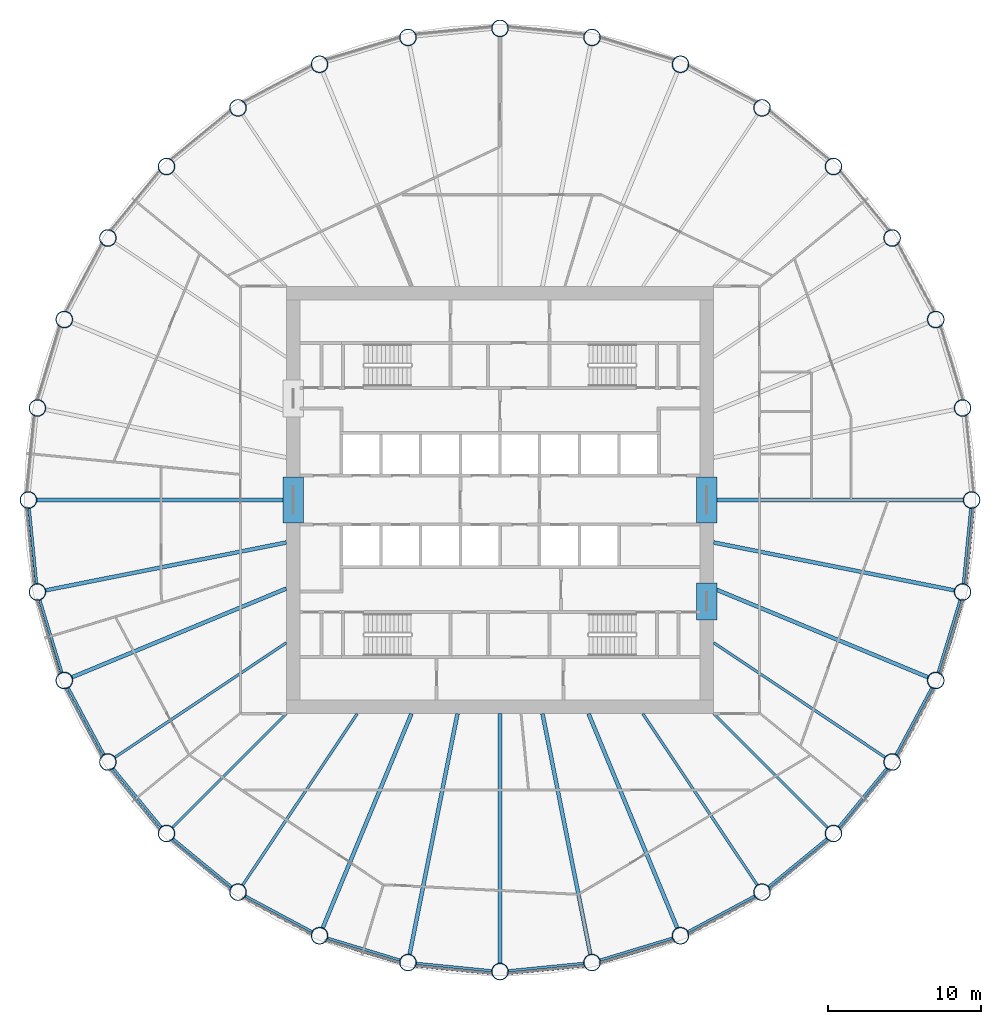
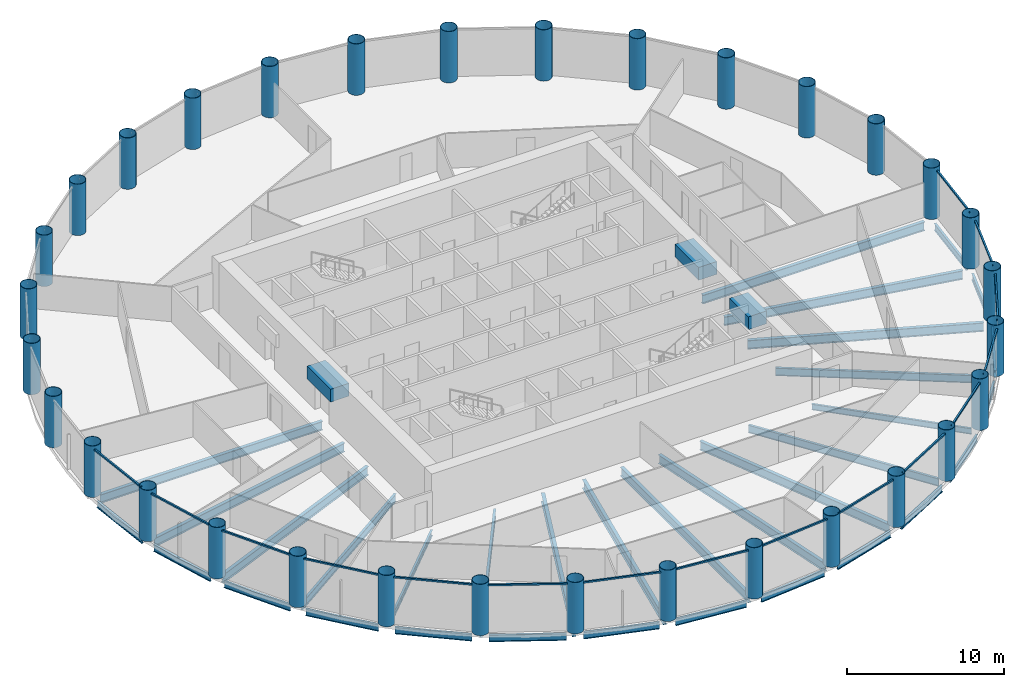
# One storey, part 1 of 9: 36 beams, 32 columns, 16 members, 16 elements without a shape of their own.
"""IFC4 building model written with IfcOpenShell, lengths in metres."""

from ifc_helpers import new_model, si_unit, direction, frame, origin, origin_2d, place, context, subcontext, project, spatial, rectangle, hollow_circle, i_section, extrude, material, material_profile, profile_set, type_object, element, aggregate, save


model = new_model("IFC4")

# Units and contexts
model_context = context("Model", 3, precision=1e-05, world=origin(), true_north=direction((0.0, 1.0)))
body_context = subcontext(model_context, "Body", "Model", "MODEL_VIEW")
ifc_project = project(units=[si_unit("LENGTHUNIT", "METRE"), si_unit("AREAUNIT", "SQUARE_METRE"), si_unit("VOLUMEUNIT", "CUBIC_METRE"), si_unit("PLANEANGLEUNIT", "RADIAN"), si_unit("MASSUNIT", "GRAM", prefix="KILO")], contexts=[model_context])

# Site, building, storey
site_placement = place(None, origin())
site = spatial("IfcSite", under=ifc_project, at=site_placement, CompositionType="ELEMENT")
building_placement = place(site_placement, origin())
building = spatial("IfcBuilding", under=site, at=building_placement, Name="Corvane Civic Tower", CompositionType="ELEMENT")
storey_placement = place(building_placement, frame((0.0, 0.0, 148.0)))
storey = spatial("IfcBuildingStorey", under=building, at=storey_placement, Name="L34", CompositionType="ELEMENT", Elevation=148.0)

# Columns
ifc_material_1 = material(Name="Steel ASTM A572 Gr 50", Category="steel")
ifc_material_profile_1 = material_profile(ifc_material_1, hollow_circle(Radius=0.550048828125, WallThickness=0.031982421875, at=origin_2d()), Name="CHS1100X32")
ifc_profile_set_1 = profile_set([ifc_material_profile_1], Name="Steel ASTM A572 Gr 50")
column_type = type_object("IfcColumnType", Name="COMPOSITE COLUMN CHS1100X32", PredefinedType="COLUMN", material=ifc_profile_set_1)
for number, where, z_axis, x_axis, name in (
    (1, (0.0, 30.89990234375, 0.0), (0.0, 0.0, 1.0), (1.0, 0.0, 0.0), "COL-L34-C01"),
    (2, (6.0283203125, 30.30615234375, 0.0), (0.0, 0.0, 1.0), (1.0, 0.0, 0.0), "COL-L34-C02"),
    (3, (11.824951171875, 28.5478515625, 0.0), (0.0, 0.0, 1.0), (1.0, 0.0, 0.0), "COL-L34-C03"),
    (4, (17.167236328125, 25.6923828125, 0.0), (0.0, 0.0, 1.0), (1.0, 0.0, 0.0), "COL-L34-C04"),
    (5, (21.849609375, 21.849609375, 0.0), (0.0, 0.0, 1.0), (1.0, 0.0, 0.0), "COL-L34-C05"),
    (6, (25.6923828125, 17.167236328125, 0.0), (0.0, 0.0, 1.0), (1.0, 0.0, 0.0), "COL-L34-C06"),
    (7, (28.5478515625, 11.824951171875, 0.0), (0.0, 0.0, 1.0), (1.0, 0.0, 0.0), "COL-L34-C07"),
    (8, (30.30615234375, 6.0283203125, 0.0), (0.0, 0.0, 1.0), (1.0, 0.0, 0.0), "COL-L34-C08"),
    (9, (30.89990234375, 0.0, 0.0), (0.0, 0.0, 1.0), (1.0, 0.0, 0.0), "COL-L34-C09"),
    (10, (30.30615234375, -6.0283203125, 0.0), (0.0, 0.0, 1.0), (1.0, 0.0, 0.0), "COL-L34-C10"),
    (11, (28.5478515625, -11.824951171875, 0.0), (0.0, 0.0, 1.0), (1.0, 0.0, 0.0), "COL-L34-C11"),
    (12, (25.6923828125, -17.167236328125, 0.0), (0.0, 0.0, 1.0), (1.0, 0.0, 0.0), "COL-L34-C12"),
    (13, (21.849609375, -21.849609375, 0.0), (0.0, 0.0, 1.0), (1.0, 0.0, 0.0), "COL-L34-C13"),
    (14, (17.167236328125, -25.6923828125, 0.0), (0.0, 0.0, 1.0), (1.0, 0.0, 0.0), "COL-L34-C14"),
    (15, (11.824951171875, -28.5478515625, 0.0), (0.0, 0.0, 1.0), (1.0, 0.0, 0.0), "COL-L34-C15"),
    (16, (6.0283203125, -30.30615234375, 0.0), (0.0, 0.0, 1.0), (1.0, 0.0, 0.0), "COL-L34-C16"),
    (17, (0.0, -30.89990234375, 0.0), (0.0, 0.0, 1.0), (1.0, 0.0, 0.0), "COL-L34-C17"),
    (18, (-6.0283203125, -30.30615234375, 0.0), (0.0, 0.0, 1.0), (1.0, 0.0, 0.0), "COL-L34-C18"),
    (19, (-11.824951171875, -28.5478515625, 0.0), (0.0, 0.0, 1.0), (1.0, 0.0, 0.0), "COL-L34-C19"),
    (20, (-17.167236328125, -25.6923828125, 0.0), (0.0, 0.0, 1.0), (1.0, 0.0, 0.0), "COL-L34-C20"),
    (21, (-21.849609375, -21.849609375, 0.0), (0.0, 0.0, 1.0), (1.0, 0.0, 0.0), "COL-L34-C21"),
    (22, (-25.6923828125, -17.167236328125, 0.0), (0.0, 0.0, 1.0), (1.0, 0.0, 0.0), "COL-L34-C22"),
    (23, (-28.5478515625, -11.824951171875, 0.0), (0.0, 0.0, 1.0), (1.0, 0.0, 0.0), "COL-L34-C23"),
    (24, (-30.30615234375, -6.0283203125, 0.0), (0.0, 0.0, 1.0), (1.0, 0.0, 0.0), "COL-L34-C24"),
    (25, (-30.89990234375, 0.0, 0.0), (0.0, 0.0, 1.0), (1.0, 0.0, 0.0), "COL-L34-C25"),
    (26, (-30.30615234375, 6.0283203125, 0.0), (0.0, 0.0, 1.0), (1.0, 0.0, 0.0), "COL-L34-C26"),
    (27, (-28.5478515625, 11.824951171875, 0.0), (0.0, 0.0, 1.0), (1.0, 0.0, 0.0), "COL-L34-C27"),
    (28, (-25.6923828125, 17.167236328125, 0.0), (0.0, 0.0, 1.0), (1.0, 0.0, 0.0), "COL-L34-C28"),
    (29, (-21.849609375, 21.849609375, 0.0), (0.0, 0.0, 1.0), (1.0, 0.0, 0.0), "COL-L34-C29"),
    (30, (-17.167236328125, 25.6923828125, 0.0), (0.0, 0.0, 1.0), (1.0, 0.0, 0.0), "COL-L34-C30"),
    (31, (-11.824951171875, 28.5478515625, 0.0), (0.0, 0.0, 1.0), (1.0, 0.0, 0.0), "COL-L34-C31"),
    (32, (-6.0283203125, 30.30615234375, 0.0), (0.0, 0.0, 1.0), (1.0, 0.0, 0.0), "COL-L34-C32"),
):
    element("IfcColumn", number, at=place(storey_placement, frame(where, z_axis=z_axis, x_axis=x_axis)), inside=storey, type_object=column_type, Name=name, PredefinedType="COLUMN", context=body_context, shape_type="SweptSolid", body=[
        extrude(hollow_circle(Radius=0.550048828125, WallThickness=0.031982421875, at=origin_2d()), origin(), (0.0, 0.0, 1.0), 4.0),
    ])

# Beams
ifc_material_2 = material(Name="Concrete C60/75", Category="concrete")
ifc_material_profile_2 = material_profile(ifc_material_2, rectangle(XDim=1.35009765625, YDim=1.0, at=origin_2d()), Name="COUPLING BEAM 1350X1000")
ifc_profile_set_2 = profile_set([ifc_material_profile_2], Name="Concrete C60/75")
beam_type_1 = type_object("IfcBeamType", Name="COUPLING BEAM COUPLING BEAM 1350X1000", PredefinedType="BEAM", material=ifc_profile_set_2)
for number, where, z_axis, x_axis, name in (
    (33, (-13.550048828125, -1.5, 2.60009765625), (0.0, 1.0, 0.0), (-1.0, 0.0, 0.0), "BM-L34-cpl-CW-LW"),
    (34, (13.550048828125, -1.5, 2.60009765625), (0.0, 1.0, 0.0), (-1.0, 0.0, 0.0), "BM-L34-cpl-CW-LE"),
):
    element("IfcBeam", number, at=place(storey_placement, frame(where, z_axis=z_axis, x_axis=x_axis)), inside=storey, type_object=beam_type_1, Name=name, PredefinedType="BEAM", context=body_context, shape_type="SweptSolid", body=[
        extrude(rectangle(XDim=1.35009765625, YDim=1.0, at=origin_2d()), origin(), (0.0, 0.0, 1.0), 3.0),
    ])
beam_1_placement = place(storey_placement, frame((13.550048828125, -7.85009765625, 2.60009765625), z_axis=(0.0, 1.0, 0.0), x_axis=(-1.0, 0.0, 0.0)))
element("IfcBeam", 35, at=beam_1_placement, inside=storey, type_object=beam_type_1, Name="BM-L34-cpl-CW-ES", PredefinedType="BEAM", context=body_context, shape_type="SweptSolid", body=[
    extrude(rectangle(XDim=1.35009765625, YDim=1.0, at=origin_2d()), origin(), (0.0, 0.0, 1.0), 2.400146484375),
])
ifc_material_3 = material(Name="Steel ASTM A992 Gr 50", Category="steel")
ifc_material_profile_3 = material_profile(ifc_material_3, i_section(OverallWidth=0.165771484375, OverallDepth=0.5283203125, WebThickness=0.009765625, FlangeThickness=0.013671875, at=origin_2d()), Name="W21X50")
ifc_profile_set_3 = profile_set([ifc_material_profile_3], Name="Steel ASTM A992 Gr 50")
beam_type_2 = type_object("IfcBeamType", Name="EDGE BEAM W21X50", PredefinedType="BEAM", material=ifc_profile_set_3)
beam_2_placement = place(storey_placement, frame((30.845947265625, -0.54736328125, -0.564208984375), z_axis=(-0.09800181167, -0.995186236294, 0.0), x_axis=(0.995186236294, -0.09800181167, 0.0)))
element("IfcBeam", 36, at=beam_2_placement, inside=storey, type_object=beam_type_2, Name="BM-L34-E09", PredefinedType="BEAM", context=body_context, shape_type="SweptSolid", body=[
    extrude(i_section(OverallWidth=0.165771484375, OverallDepth=0.5283203125, WebThickness=0.009765625, FlangeThickness=0.013671875, at=origin_2d()), origin(), (0.0, 0.0, 1.0), 4.95751953125),
])
beam_3_placement = place(storey_placement, frame((30.146484375, -6.5546875, -0.564208984375), z_axis=(-0.290269821381, -0.956944842086, 0.0), x_axis=(0.956944842086, -0.290269821381, 0.0)))
element("IfcBeam", 37, at=beam_3_placement, inside=storey, type_object=beam_type_2, Name="BM-L34-E10", PredefinedType="BEAM", context=body_context, shape_type="SweptSolid", body=[
    extrude(i_section(OverallWidth=0.165771484375, OverallDepth=0.5283203125, WebThickness=0.009765625, FlangeThickness=0.013671875, at=origin_2d()), origin(), (0.0, 0.0, 1.0), 4.957275390625),
])
for number, where, z_axis, x_axis, name in (
    (38, (28.28857421875, -12.31005859375, -0.564208984375), (-0.471395763042, -0.881921784846, 0.0), (0.881921784846, -0.471395763042, 0.0), "BM-L34-E11"),
    (39, (25.343505859375, -17.59228515625, -0.564208984375), (-0.634387546532, -0.77301516208, 0.0), (0.77301516208, -0.634387546532, 0.0), "BM-L34-E12"),
    (40, (21.424560546875, -22.198486328125, -0.564208984375), (-0.77301516208, -0.634387546532, 0.0), (0.634387546532, -0.77301516208, 0.0), "BM-L34-E13"),
    (41, (16.68212890625, -25.95166015625, -0.564208984375), (-0.881921784846, -0.471395763042, 0.0), (0.471395763042, -0.881921784846, 0.0), "BM-L34-E14"),
):
    element("IfcBeam", number, at=place(storey_placement, frame(where, z_axis=z_axis, x_axis=x_axis)), inside=storey, type_object=beam_type_2, Name=name, PredefinedType="BEAM", context=body_context, shape_type="SweptSolid", body=[
        extrude(i_section(OverallWidth=0.165771484375, OverallDepth=0.5283203125, WebThickness=0.009765625, FlangeThickness=0.013671875, at=origin_2d()), origin(), (0.0, 0.0, 1.0), 4.95751953125),
    ])
beam_4_placement = place(storey_placement, frame((11.298583984375, -28.70751953125, -0.564208984375), z_axis=(-0.956944842086, -0.290269821381, 0.0), x_axis=(0.290269821381, -0.956944842086, 0.0)))
element("IfcBeam", 42, at=beam_4_placement, inside=storey, type_object=beam_type_2, Name="BM-L34-E15", PredefinedType="BEAM", context=body_context, shape_type="SweptSolid", body=[
    extrude(i_section(OverallWidth=0.165771484375, OverallDepth=0.5283203125, WebThickness=0.009765625, FlangeThickness=0.013671875, at=origin_2d()), origin(), (0.0, 0.0, 1.0), 4.957275390625),
])
for number, where, z_axis, x_axis, name in (
    (43, (5.48095703125, -30.360107421875, -0.564208984375), (-0.995186236294, -0.09800181167, 0.0), (0.09800181167, -0.995186236294, 0.0), "BM-L34-E16"),
    (44, (-0.54736328125, -30.845947265625, -0.564208984375), (-0.995186236294, 0.09800181167, 0.0), (-0.09800181167, -0.995186236294, 0.0), "BM-L34-E17"),
):
    element("IfcBeam", number, at=place(storey_placement, frame(where, z_axis=z_axis, x_axis=x_axis)), inside=storey, type_object=beam_type_2, Name=name, PredefinedType="BEAM", context=body_context, shape_type="SweptSolid", body=[
        extrude(i_section(OverallWidth=0.165771484375, OverallDepth=0.5283203125, WebThickness=0.009765625, FlangeThickness=0.013671875, at=origin_2d()), origin(), (0.0, 0.0, 1.0), 4.95751953125),
    ])
beam_5_placement = place(storey_placement, frame((-6.5546875, -30.146484375, -0.564208984375), z_axis=(-0.956944842086, 0.290269821381, 0.0), x_axis=(-0.290269821381, -0.956944842086, 0.0)))
element("IfcBeam", 45, at=beam_5_placement, inside=storey, type_object=beam_type_2, Name="BM-L34-E18", PredefinedType="BEAM", context=body_context, shape_type="SweptSolid", body=[
    extrude(i_section(OverallWidth=0.165771484375, OverallDepth=0.5283203125, WebThickness=0.009765625, FlangeThickness=0.013671875, at=origin_2d()), origin(), (0.0, 0.0, 1.0), 4.957275390625),
])
for number, where, z_axis, x_axis, name in (
    (46, (-12.31005859375, -28.28857421875, -0.564208984375), (-0.881921784846, 0.471395763042, 0.0), (-0.471395763042, -0.881921784846, 0.0), "BM-L34-E19"),
    (47, (-17.59228515625, -25.343505859375, -0.564208984375), (-0.77301516208, 0.634387546532, 0.0), (-0.634387546532, -0.77301516208, 0.0), "BM-L34-E20"),
    (48, (-22.198486328125, -21.424560546875, -0.564208984375), (-0.634387546532, 0.77301516208, 0.0), (-0.77301516208, -0.634387546532, 0.0), "BM-L34-E21"),
    (49, (-25.95166015625, -16.68212890625, -0.564208984375), (-0.471395763042, 0.881921784846, 0.0), (-0.881921784846, -0.471395763042, 0.0), "BM-L34-E22"),
):
    element("IfcBeam", number, at=place(storey_placement, frame(where, z_axis=z_axis, x_axis=x_axis)), inside=storey, type_object=beam_type_2, Name=name, PredefinedType="BEAM", context=body_context, shape_type="SweptSolid", body=[
        extrude(i_section(OverallWidth=0.165771484375, OverallDepth=0.5283203125, WebThickness=0.009765625, FlangeThickness=0.013671875, at=origin_2d()), origin(), (0.0, 0.0, 1.0), 4.95751953125),
    ])
beam_6_placement = place(storey_placement, frame((-28.70751953125, -11.298583984375, -0.564208984375), z_axis=(-0.290269821381, 0.956944842086, 0.0), x_axis=(-0.956944842086, -0.290269821381, 0.0)))
element("IfcBeam", 50, at=beam_6_placement, inside=storey, type_object=beam_type_2, Name="BM-L34-E23", PredefinedType="BEAM", context=body_context, shape_type="SweptSolid", body=[
    extrude(i_section(OverallWidth=0.165771484375, OverallDepth=0.5283203125, WebThickness=0.009765625, FlangeThickness=0.013671875, at=origin_2d()), origin(), (0.0, 0.0, 1.0), 4.957275390625),
])
beam_7_placement = place(storey_placement, frame((-30.360107421875, -5.48095703125, -0.564208984375), z_axis=(-0.09800181167, 0.995186236294, 0.0), x_axis=(-0.995186236294, -0.09800181167, 0.0)))
element("IfcBeam", 51, at=beam_7_placement, inside=storey, type_object=beam_type_2, Name="BM-L34-E24", PredefinedType="BEAM", context=body_context, shape_type="SweptSolid", body=[
    extrude(i_section(OverallWidth=0.165771484375, OverallDepth=0.5283203125, WebThickness=0.009765625, FlangeThickness=0.013671875, at=origin_2d()), origin(), (0.0, 0.0, 1.0), 4.95751953125),
])
ifc_material_4 = material(Name="Steel ASTM A992 Gr 50", Category="steel")
ifc_material_profile_4 = material_profile(ifc_material_4, i_section(OverallWidth=0.15283203125, OverallDepth=0.45458984375, WebThickness=0.008056640625, FlangeThickness=0.013427734375, at=origin_2d()), Name="W18X40")
ifc_profile_set_4 = profile_set([ifc_material_profile_4], Name="Steel ASTM A992 Gr 50")
beam_type_3 = type_object("IfcBeamType", Name="FLOOR GIRDER W18X40", PredefinedType="BEAM", material=ifc_profile_set_4)
for number, where, z_axis, x_axis, name in (
    (52, (14.0, -14.0, -0.52734375), (0.707106781187, -0.707106781187, 0.0), (0.707106781187, 0.707106781187, 0.0), "BM-L34-G13"),
    (53, (-14.0, -14.0, -0.52734375), (-0.707106781187, -0.707106781187, 0.0), (0.707106781187, -0.707106781187, 0.0), "BM-L34-G21"),
):
    element("IfcBeam", number, at=place(storey_placement, frame(where, z_axis=z_axis, x_axis=x_axis)), inside=storey, type_object=beam_type_3, Name=name, PredefinedType="BEAM", context=body_context, shape_type="SweptSolid", body=[
        extrude(i_section(OverallWidth=0.15283203125, OverallDepth=0.45458984375, WebThickness=0.008056640625, FlangeThickness=0.013427734375, at=origin_2d()), origin(), (0.0, 0.0, 1.0), 10.551025390625),
    ])
ifc_material_5 = material(Name="Steel ASTM A992 Gr 50", Category="steel")
ifc_material_profile_5 = material_profile(ifc_material_5, i_section(OverallWidth=0.177978515625, OverallDepth=0.599365234375, WebThickness=0.010009765625, FlangeThickness=0.012939453125, at=origin_2d()), Name="W24X55")
ifc_profile_set_5 = profile_set([ifc_material_profile_5], Name="Steel ASTM A992 Gr 50")
beam_type_4 = type_object("IfcBeamType", Name="FLOOR GIRDER W24X55", PredefinedType="BEAM", material=ifc_profile_set_5)
for number, where, z_axis, x_axis, name in (
    (54, (14.0, -9.3544921875, -0.599609375), (0.83146888399, -0.555571323015, 0.0), (0.555571323015, 0.83146888399, 0.0), "BM-L34-G12"),
    (55, (9.3544921875, -14.0, -0.599609375), (0.555571323015, -0.83146888399, 0.0), (0.83146888399, 0.555571323015, 0.0), "BM-L34-G14"),
    (56, (-9.3544921875, -14.0, -0.599609375), (-0.555571323015, -0.83146888399, 0.0), (0.83146888399, -0.555571323015, 0.0), "BM-L34-G20"),
    (57, (-14.0, -9.3544921875, -0.599609375), (-0.83146888399, -0.555571323015, 0.0), (0.555571323015, -0.83146888399, 0.0), "BM-L34-G22"),
):
    element("IfcBeam", number, at=place(storey_placement, frame(where, z_axis=z_axis, x_axis=x_axis)), inside=storey, type_object=beam_type_4, Name=name, PredefinedType="BEAM", context=body_context, shape_type="SweptSolid", body=[
        extrude(i_section(OverallWidth=0.177978515625, OverallDepth=0.599365234375, WebThickness=0.010009765625, FlangeThickness=0.012939453125, at=origin_2d()), origin(), (0.0, 0.0, 1.0), 13.512451171875),
    ])
ifc_material_6 = material(Name="Steel ASTM A992 Gr 50", Category="steel")
ifc_material_profile_6 = material_profile(ifc_material_6, i_section(OverallWidth=0.25390625, OverallDepth=0.67822265625, WebThickness=0.01171875, FlangeThickness=0.016357421875, at=origin_2d()), Name="W27X84")
ifc_profile_set_6 = profile_set([ifc_material_profile_6], Name="Steel ASTM A992 Gr 50")
beam_type_5 = type_object("IfcBeamType", Name="FLOOR GIRDER W27X84", PredefinedType="BEAM", material=ifc_profile_set_6)
beam_8_placement = place(storey_placement, frame((14.0, 0.0, -0.63916015625), z_axis=(1.0, 0.0, 0.0), x_axis=(0.0, 1.0, 0.0)))
element("IfcBeam", 58, at=beam_8_placement, inside=storey, type_object=beam_type_5, Name="BM-L34-G09", PredefinedType="BEAM", context=body_context, shape_type="SweptSolid", body=[
    extrude(i_section(OverallWidth=0.25390625, OverallDepth=0.67822265625, WebThickness=0.01171875, FlangeThickness=0.016357421875, at=origin_2d()), origin(), (0.0, 0.0, 1.0), 16.35009765625),
])
beam_9_placement = place(storey_placement, frame((14.0, -2.78466796875, -0.63916015625), z_axis=(0.980785162999, -0.195090912248, 0.0), x_axis=(0.195090912248, 0.980785162999, 0.0)))
element("IfcBeam", 59, at=beam_9_placement, inside=storey, type_object=beam_type_5, Name="BM-L34-G10", PredefinedType="BEAM", context=body_context, shape_type="SweptSolid", body=[
    extrude(i_section(OverallWidth=0.25390625, OverallDepth=0.67822265625, WebThickness=0.01171875, FlangeThickness=0.016357421875, at=origin_2d()), origin(), (0.0, 0.0, 1.0), 16.07568359375),
])
for number, where, z_axis, x_axis, name in (
    (60, (14.0, -5.799072265625, -0.63916015625), (0.923880551114, -0.38268097323, 0.0), (0.38268097323, 0.923880551114, 0.0), "BM-L34-G11"),
    (61, (5.799072265625, -14.0, -0.63916015625), (0.38268097323, -0.923880551114, 0.0), (0.923880551114, 0.38268097323, 0.0), "BM-L34-G15"),
):
    element("IfcBeam", number, at=place(storey_placement, frame(where, z_axis=z_axis, x_axis=x_axis)), inside=storey, type_object=beam_type_5, Name=name, PredefinedType="BEAM", context=body_context, shape_type="SweptSolid", body=[
        extrude(i_section(OverallWidth=0.25390625, OverallDepth=0.67822265625, WebThickness=0.01171875, FlangeThickness=0.016357421875, at=origin_2d()), origin(), (0.0, 0.0, 1.0), 15.196533203125),
    ])
beam_10_placement = place(storey_placement, frame((2.78466796875, -14.0, -0.63916015625), z_axis=(0.195090912248, -0.980785162999, 0.0), x_axis=(0.980785162999, 0.195090912248, 0.0)))
element("IfcBeam", 62, at=beam_10_placement, inside=storey, type_object=beam_type_5, Name="BM-L34-G16", PredefinedType="BEAM", context=body_context, shape_type="SweptSolid", body=[
    extrude(i_section(OverallWidth=0.25390625, OverallDepth=0.67822265625, WebThickness=0.01171875, FlangeThickness=0.016357421875, at=origin_2d()), origin(), (0.0, 0.0, 1.0), 16.07568359375),
])
beam_11_placement = place(storey_placement, frame((0.0, -14.0, -0.63916015625), z_axis=(0.0, -1.0, 0.0), x_axis=(1.0, 0.0, 0.0)))
element("IfcBeam", 63, at=beam_11_placement, inside=storey, type_object=beam_type_5, Name="BM-L34-G17", PredefinedType="BEAM", context=body_context, shape_type="SweptSolid", body=[
    extrude(i_section(OverallWidth=0.25390625, OverallDepth=0.67822265625, WebThickness=0.01171875, FlangeThickness=0.016357421875, at=origin_2d()), origin(), (0.0, 0.0, 1.0), 16.35009765625),
])
beam_12_placement = place(storey_placement, frame((-2.78466796875, -14.0, -0.63916015625), z_axis=(-0.195090912248, -0.980785162999, 0.0), x_axis=(0.980785162999, -0.195090912248, 0.0)))
element("IfcBeam", 64, at=beam_12_placement, inside=storey, type_object=beam_type_5, Name="BM-L34-G18", PredefinedType="BEAM", context=body_context, shape_type="SweptSolid", body=[
    extrude(i_section(OverallWidth=0.25390625, OverallDepth=0.67822265625, WebThickness=0.01171875, FlangeThickness=0.016357421875, at=origin_2d()), origin(), (0.0, 0.0, 1.0), 16.07568359375),
])
for number, where, z_axis, x_axis, name in (
    (65, (-5.799072265625, -14.0, -0.63916015625), (-0.38268097323, -0.923880551114, 0.0), (0.923880551114, -0.38268097323, 0.0), "BM-L34-G19"),
    (66, (-14.0, -5.799072265625, -0.63916015625), (-0.923880551114, -0.38268097323, 0.0), (0.38268097323, -0.923880551114, 0.0), "BM-L34-G23"),
):
    element("IfcBeam", number, at=place(storey_placement, frame(where, z_axis=z_axis, x_axis=x_axis)), inside=storey, type_object=beam_type_5, Name=name, PredefinedType="BEAM", context=body_context, shape_type="SweptSolid", body=[
        extrude(i_section(OverallWidth=0.25390625, OverallDepth=0.67822265625, WebThickness=0.01171875, FlangeThickness=0.016357421875, at=origin_2d()), origin(), (0.0, 0.0, 1.0), 15.196533203125),
    ])
beam_13_placement = place(storey_placement, frame((-14.0, -2.78466796875, -0.63916015625), z_axis=(-0.980785162999, -0.195090912248, 0.0), x_axis=(0.195090912248, -0.980785162999, 0.0)))
element("IfcBeam", 67, at=beam_13_placement, inside=storey, type_object=beam_type_5, Name="BM-L34-G24", PredefinedType="BEAM", context=body_context, shape_type="SweptSolid", body=[
    extrude(i_section(OverallWidth=0.25390625, OverallDepth=0.67822265625, WebThickness=0.01171875, FlangeThickness=0.016357421875, at=origin_2d()), origin(), (0.0, 0.0, 1.0), 16.07568359375),
])
beam_14_placement = place(storey_placement, frame((-14.0, 0.0, -0.63916015625), z_axis=(-1.0, 0.0, 0.0), x_axis=(0.0, -1.0, 0.0)))
element("IfcBeam", 68, at=beam_14_placement, inside=storey, type_object=beam_type_5, Name="BM-L34-G25", PredefinedType="BEAM", context=body_context, shape_type="SweptSolid", body=[
    extrude(i_section(OverallWidth=0.25390625, OverallDepth=0.67822265625, WebThickness=0.01171875, FlangeThickness=0.016357421875, at=origin_2d()), origin(), (0.0, 0.0, 1.0), 16.35009765625),
])

# Curtain wall, member
ifc_material_7 = material(Name="Anodised aluminium bronze", Category="aluminium")
curtain_wall_type = type_object("IfcCurtainWallType", Name="TOWER CW-T2 STICK CURTAIN WALL", PredefinedType="NOTDEFINED", material=ifc_material_7)
curtain_wall_1_placement = place(storey_placement, origin())
curtain_wall_1 = element("IfcCurtainWall", 69, at=curtain_wall_1_placement, inside=storey, type_object=curtain_wall_type, Name="Curtain wall CW-T2 L34 bay 09", PredefinedType="NOTDEFINED")
ifc_material_8 = material(Name="Anodised aluminium bronze", Category="aluminium")
ifc_material_profile_7 = material_profile(ifc_material_8, rectangle(XDim=0.1201171875, YDim=0.1201171875, at=origin_2d()), Name="TOWER CW-T2 TRANSOM 120x120")
ifc_profile_set_7 = profile_set([ifc_material_profile_7], Name="Anodised aluminium bronze")
member_type = type_object("IfcMemberType", Name="TOWER CW-T2 TRANSOM 120x120", PredefinedType="USERDEFINED", material=ifc_profile_set_7)
member_1_placement = place(storey_placement, frame((31.0302734375, -0.505126953125, 3.68994140625), z_axis=(-0.097989755963, -0.995187423416, 0.0), x_axis=(0.995187423416, -0.097989755963, 0.0)))
member_1 = element("IfcMember", 70, at=member_1_placement, type_object=member_type, Name="Transom CW-T2 L34 09.1", ObjectType="TRANSOM", PredefinedType="USERDEFINED", context=body_context, shape_type="SweptSolid", body=[
    extrude(rectangle(XDim=0.1201171875, YDim=0.1201171875, at=origin_2d()), origin(), (0.0, 0.0, 1.0), 5.07763671875),
])
aggregate(curtain_wall_1, [member_1])

curtain_wall_2_placement = place(storey_placement, origin())
curtain_wall_2 = element("IfcCurtainWall", 71, at=curtain_wall_2_placement, inside=storey, type_object=curtain_wall_type, Name="Curtain wall CW-T2 L34 bay 10", PredefinedType="NOTDEFINED")
member_2_placement = place(storey_placement, frame((30.33544921875, -6.54931640625, 3.68994140625), z_axis=(-0.290288977061, -0.956939031389, 0.0), x_axis=(0.956939031389, -0.290288977061, 0.0)))
member_2 = element("IfcMember", 72, at=member_2_placement, type_object=member_type, Name="Transom CW-T2 L34 10.1", ObjectType="TRANSOM", PredefinedType="USERDEFINED", context=body_context, shape_type="SweptSolid", body=[
    extrude(rectangle(XDim=0.1201171875, YDim=0.1201171875, at=origin_2d()), origin(), (0.0, 0.0, 1.0), 5.077392578125),
])
aggregate(curtain_wall_2, [member_2])

curtain_wall_3_placement = place(storey_placement, origin())
curtain_wall_3 = element("IfcCurtainWall", 73, at=curtain_wall_3_placement, inside=storey, type_object=curtain_wall_type, Name="Curtain wall CW-T2 L34 bay 11", PredefinedType="NOTDEFINED")
member_3_placement = place(storey_placement, frame((28.474853515625, -12.341552734375, 3.68994140625), z_axis=(-0.471396615074, -0.881921329426, 0.0), x_axis=(0.881921329426, -0.471396615074, 0.0)))
member_3 = element("IfcMember", 74, at=member_3_placement, type_object=member_type, Name="Transom CW-T2 L34 11.1", ObjectType="TRANSOM", PredefinedType="USERDEFINED", context=body_context, shape_type="SweptSolid", body=[
    extrude(rectangle(XDim=0.1201171875, YDim=0.1201171875, at=origin_2d()), origin(), (0.0, 0.0, 1.0), 5.07763671875),
])
aggregate(curtain_wall_3, [member_3])

curtain_wall_4_placement = place(storey_placement, origin())
curtain_wall_4 = element("IfcCurtainWall", 75, at=curtain_wall_4_placement, inside=storey, type_object=curtain_wall_type, Name="Curtain wall CW-T2 L34 bay 12", PredefinedType="NOTDEFINED")
member_4_placement = place(storey_placement, frame((25.519775390625, -17.65966796875, 3.68994140625), z_axis=(-0.634386611146, -0.773015929719, 0.0), x_axis=(0.773015929719, -0.634386611146, 0.0)))
member_4 = element("IfcMember", 76, at=member_4_placement, type_object=member_type, Name="Transom CW-T2 L34 12.1", ObjectType="TRANSOM", PredefinedType="USERDEFINED", context=body_context, shape_type="SweptSolid", body=[
    extrude(rectangle(XDim=0.1201171875, YDim=0.1201171875, at=origin_2d()), origin(), (0.0, 0.0, 1.0), 5.0771484375),
])
aggregate(curtain_wall_4, [member_4])

curtain_wall_5_placement = place(storey_placement, origin())
curtain_wall_5 = element("IfcCurtainWall", 77, at=curtain_wall_5_placement, inside=storey, type_object=curtain_wall_type, Name="Curtain wall CW-T2 L34 bay 13", PredefinedType="NOTDEFINED")
member_5_placement = place(storey_placement, frame((21.58447265625, -22.298828125, 3.68994140625), z_axis=(-0.773015929719, -0.634386611146, 0.0), x_axis=(0.634386611146, -0.773015929719, 0.0)))
member_5 = element("IfcMember", 78, at=member_5_placement, type_object=member_type, Name="Transom CW-T2 L34 13.1", ObjectType="TRANSOM", PredefinedType="USERDEFINED", context=body_context, shape_type="SweptSolid", body=[
    extrude(rectangle(XDim=0.1201171875, YDim=0.1201171875, at=origin_2d()), origin(), (0.0, 0.0, 1.0), 5.0771484375),
])
aggregate(curtain_wall_5, [member_5])

curtain_wall_6_placement = place(storey_placement, origin())
curtain_wall_6 = element("IfcCurtainWall", 79, at=curtain_wall_6_placement, inside=storey, type_object=curtain_wall_type, Name="Curtain wall CW-T2 L34 bay 14", PredefinedType="NOTDEFINED")
member_6_placement = place(storey_placement, frame((16.819580078125, -26.081298828125, 3.68994140625), z_axis=(-0.881921329426, -0.471396615074, 0.0), x_axis=(0.471396615074, -0.881921329426, 0.0)))
member_6 = element("IfcMember", 80, at=member_6_placement, type_object=member_type, Name="Transom CW-T2 L34 14.1", ObjectType="TRANSOM", PredefinedType="USERDEFINED", context=body_context, shape_type="SweptSolid", body=[
    extrude(rectangle(XDim=0.1201171875, YDim=0.1201171875, at=origin_2d()), origin(), (0.0, 0.0, 1.0), 5.07763671875),
])
aggregate(curtain_wall_6, [member_6])

curtain_wall_7_placement = place(storey_placement, origin())
curtain_wall_7 = element("IfcCurtainWall", 81, at=curtain_wall_7_placement, inside=storey, type_object=curtain_wall_type, Name="Curtain wall CW-T2 L34 bay 15", PredefinedType="NOTDEFINED")
member_7_placement = place(storey_placement, frame((11.407958984375, -28.861572265625, 3.68994140625), z_axis=(-0.956939031389, -0.290288977061, 0.0), x_axis=(0.290288977061, -0.956939031389, 0.0)))
member_7 = element("IfcMember", 82, at=member_7_placement, type_object=member_type, Name="Transom CW-T2 L34 15.1", ObjectType="TRANSOM", PredefinedType="USERDEFINED", context=body_context, shape_type="SweptSolid", body=[
    extrude(rectangle(XDim=0.1201171875, YDim=0.1201171875, at=origin_2d()), origin(), (0.0, 0.0, 1.0), 5.077392578125),
])
aggregate(curtain_wall_7, [member_7])

curtain_wall_8_placement = place(storey_placement, origin())
curtain_wall_8 = element("IfcCurtainWall", 83, at=curtain_wall_8_placement, inside=storey, type_object=curtain_wall_type, Name="Curtain wall CW-T2 L34 bay 16", PredefinedType="NOTDEFINED")
member_8_placement = place(storey_placement, frame((5.558349609375, -30.53271484375, 3.68994140625), z_axis=(-0.995187423416, -0.097989755963, 0.0), x_axis=(0.097989755963, -0.995187423416, 0.0)))
member_8 = element("IfcMember", 84, at=member_8_placement, type_object=member_type, Name="Transom CW-T2 L34 16.1", ObjectType="TRANSOM", PredefinedType="USERDEFINED", context=body_context, shape_type="SweptSolid", body=[
    extrude(rectangle(XDim=0.1201171875, YDim=0.1201171875, at=origin_2d()), origin(), (0.0, 0.0, 1.0), 5.07763671875),
])
aggregate(curtain_wall_8, [member_8])

curtain_wall_9_placement = place(storey_placement, origin())
curtain_wall_9 = element("IfcCurtainWall", 85, at=curtain_wall_9_placement, inside=storey, type_object=curtain_wall_type, Name="Curtain wall CW-T2 L34 bay 17", PredefinedType="NOTDEFINED")
member_9_placement = place(storey_placement, frame((-0.505126953125, -31.0302734375, 3.68994140625), z_axis=(-0.995187423416, 0.097989755963, 0.0), x_axis=(-0.097989755963, -0.995187423416, 0.0)))
member_9 = element("IfcMember", 86, at=member_9_placement, type_object=member_type, Name="Transom CW-T2 L34 17.1", ObjectType="TRANSOM", PredefinedType="USERDEFINED", context=body_context, shape_type="SweptSolid", body=[
    extrude(rectangle(XDim=0.1201171875, YDim=0.1201171875, at=origin_2d()), origin(), (0.0, 0.0, 1.0), 5.07763671875),
])
aggregate(curtain_wall_9, [member_9])

curtain_wall_10_placement = place(storey_placement, origin())
curtain_wall_10 = element("IfcCurtainWall", 87, at=curtain_wall_10_placement, inside=storey, type_object=curtain_wall_type, Name="Curtain wall CW-T2 L34 bay 18", PredefinedType="NOTDEFINED")
member_10_placement = place(storey_placement, frame((-6.54931640625, -30.33544921875, 3.68994140625), z_axis=(-0.956939031389, 0.290288977061, 0.0), x_axis=(-0.290288977061, -0.956939031389, 0.0)))
member_10 = element("IfcMember", 88, at=member_10_placement, type_object=member_type, Name="Transom CW-T2 L34 18.1", ObjectType="TRANSOM", PredefinedType="USERDEFINED", context=body_context, shape_type="SweptSolid", body=[
    extrude(rectangle(XDim=0.1201171875, YDim=0.1201171875, at=origin_2d()), origin(), (0.0, 0.0, 1.0), 5.077392578125),
])
aggregate(curtain_wall_10, [member_10])

curtain_wall_11_placement = place(storey_placement, origin())
curtain_wall_11 = element("IfcCurtainWall", 89, at=curtain_wall_11_placement, inside=storey, type_object=curtain_wall_type, Name="Curtain wall CW-T2 L34 bay 19", PredefinedType="NOTDEFINED")
member_11_placement = place(storey_placement, frame((-12.341552734375, -28.474853515625, 3.68994140625), z_axis=(-0.881921329426, 0.471396615074, 0.0), x_axis=(-0.471396615074, -0.881921329426, 0.0)))
member_11 = element("IfcMember", 90, at=member_11_placement, type_object=member_type, Name="Transom CW-T2 L34 19.1", ObjectType="TRANSOM", PredefinedType="USERDEFINED", context=body_context, shape_type="SweptSolid", body=[
    extrude(rectangle(XDim=0.1201171875, YDim=0.1201171875, at=origin_2d()), origin(), (0.0, 0.0, 1.0), 5.07763671875),
])
aggregate(curtain_wall_11, [member_11])

curtain_wall_12_placement = place(storey_placement, origin())
curtain_wall_12 = element("IfcCurtainWall", 91, at=curtain_wall_12_placement, inside=storey, type_object=curtain_wall_type, Name="Curtain wall CW-T2 L34 bay 20", PredefinedType="NOTDEFINED")
member_12_placement = place(storey_placement, frame((-17.65966796875, -25.519775390625, 3.68994140625), z_axis=(-0.773015929719, 0.634386611146, 0.0), x_axis=(-0.634386611146, -0.773015929719, 0.0)))
member_12 = element("IfcMember", 92, at=member_12_placement, type_object=member_type, Name="Transom CW-T2 L34 20.1", ObjectType="TRANSOM", PredefinedType="USERDEFINED", context=body_context, shape_type="SweptSolid", body=[
    extrude(rectangle(XDim=0.1201171875, YDim=0.1201171875, at=origin_2d()), origin(), (0.0, 0.0, 1.0), 5.0771484375),
])
aggregate(curtain_wall_12, [member_12])

curtain_wall_13_placement = place(storey_placement, origin())
curtain_wall_13 = element("IfcCurtainWall", 93, at=curtain_wall_13_placement, inside=storey, type_object=curtain_wall_type, Name="Curtain wall CW-T2 L34 bay 21", PredefinedType="NOTDEFINED")
member_13_placement = place(storey_placement, frame((-22.298828125, -21.58447265625, 3.68994140625), z_axis=(-0.634386611146, 0.773015929719, 0.0), x_axis=(-0.773015929719, -0.634386611146, 0.0)))
member_13 = element("IfcMember", 94, at=member_13_placement, type_object=member_type, Name="Transom CW-T2 L34 21.1", ObjectType="TRANSOM", PredefinedType="USERDEFINED", context=body_context, shape_type="SweptSolid", body=[
    extrude(rectangle(XDim=0.1201171875, YDim=0.1201171875, at=origin_2d()), origin(), (0.0, 0.0, 1.0), 5.0771484375),
])
aggregate(curtain_wall_13, [member_13])

curtain_wall_14_placement = place(storey_placement, origin())
curtain_wall_14 = element("IfcCurtainWall", 95, at=curtain_wall_14_placement, inside=storey, type_object=curtain_wall_type, Name="Curtain wall CW-T2 L34 bay 22", PredefinedType="NOTDEFINED")
member_14_placement = place(storey_placement, frame((-26.081298828125, -16.819580078125, 3.68994140625), z_axis=(-0.471396615074, 0.881921329426, 0.0), x_axis=(-0.881921329426, -0.471396615074, 0.0)))
member_14 = element("IfcMember", 96, at=member_14_placement, type_object=member_type, Name="Transom CW-T2 L34 22.1", ObjectType="TRANSOM", PredefinedType="USERDEFINED", context=body_context, shape_type="SweptSolid", body=[
    extrude(rectangle(XDim=0.1201171875, YDim=0.1201171875, at=origin_2d()), origin(), (0.0, 0.0, 1.0), 5.07763671875),
])
aggregate(curtain_wall_14, [member_14])

curtain_wall_15_placement = place(storey_placement, origin())
curtain_wall_15 = element("IfcCurtainWall", 97, at=curtain_wall_15_placement, inside=storey, type_object=curtain_wall_type, Name="Curtain wall CW-T2 L34 bay 23", PredefinedType="NOTDEFINED")
member_15_placement = place(storey_placement, frame((-28.861572265625, -11.407958984375, 3.68994140625), z_axis=(-0.290288977061, 0.956939031389, 0.0), x_axis=(-0.956939031389, -0.290288977061, 0.0)))
member_15 = element("IfcMember", 98, at=member_15_placement, type_object=member_type, Name="Transom CW-T2 L34 23.1", ObjectType="TRANSOM", PredefinedType="USERDEFINED", context=body_context, shape_type="SweptSolid", body=[
    extrude(rectangle(XDim=0.1201171875, YDim=0.1201171875, at=origin_2d()), origin(), (0.0, 0.0, 1.0), 5.077392578125),
])
aggregate(curtain_wall_15, [member_15])

curtain_wall_16_placement = place(storey_placement, origin())
curtain_wall_16 = element("IfcCurtainWall", 99, at=curtain_wall_16_placement, inside=storey, type_object=curtain_wall_type, Name="Curtain wall CW-T2 L34 bay 24", PredefinedType="NOTDEFINED")
member_16_placement = place(storey_placement, frame((-30.53271484375, -5.558349609375, 3.68994140625), z_axis=(-0.097989755963, 0.995187423416, 0.0), x_axis=(-0.995187423416, -0.097989755963, 0.0)))
member_16 = element("IfcMember", 100, at=member_16_placement, type_object=member_type, Name="Transom CW-T2 L34 24.1", ObjectType="TRANSOM", PredefinedType="USERDEFINED", context=body_context, shape_type="SweptSolid", body=[
    extrude(rectangle(XDim=0.1201171875, YDim=0.1201171875, at=origin_2d()), origin(), (0.0, 0.0, 1.0), 5.07763671875),
])
aggregate(curtain_wall_16, [member_16])

save(model, "model.ifc")
